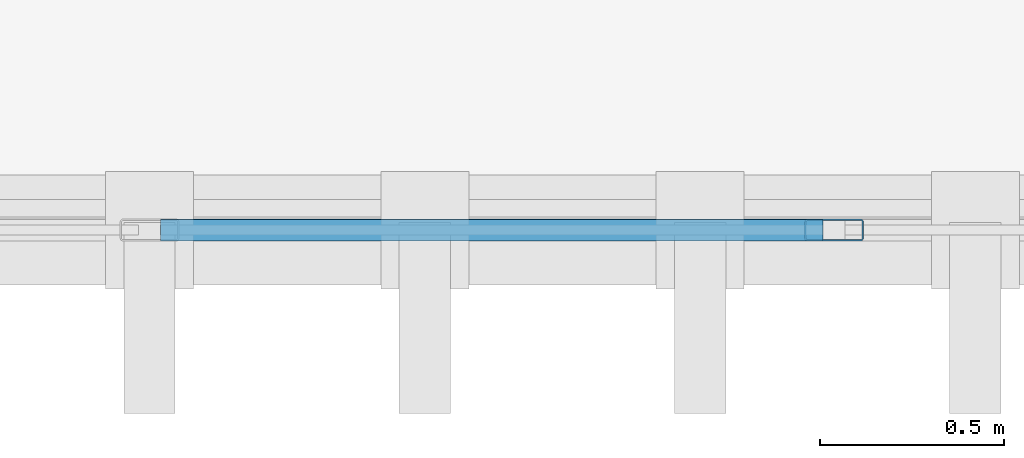
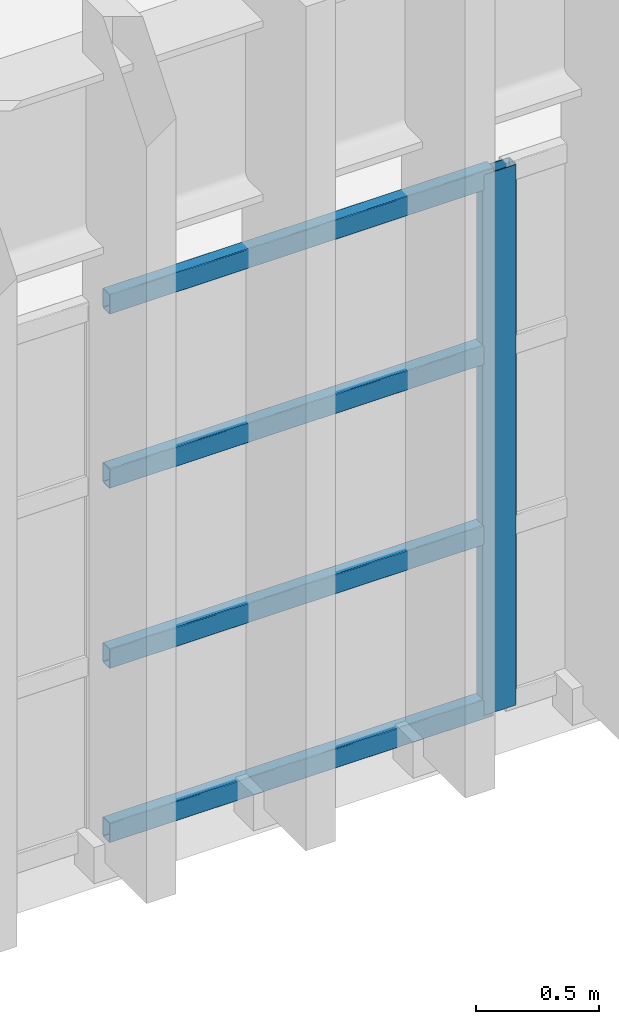
# One storey, part 15 of 51: 5 members, 1 element without a shape of its own.
"""IFC4 building model written with IfcOpenShell, lengths in metres."""

from ifc_helpers import new_model, si_unit, direction, frame, origin, origin_2d, place, context, subcontext, project, spatial, hollow_rectangle, extrude, material, material_profile, profile_set, type_object, element, aggregate, save


model = new_model("IFC4")

# Units and contexts
model_context = context("Model", 3, precision=1e-05, world=origin(), true_north=direction((0.0, 1.0)))
body_context = subcontext(model_context, "Body", "Model", "MODEL_VIEW")
ifc_project = project(units=[si_unit("LENGTHUNIT", "METRE"), si_unit("AREAUNIT", "SQUARE_METRE"), si_unit("VOLUMEUNIT", "CUBIC_METRE"), si_unit("PLANEANGLEUNIT", "RADIAN"), si_unit("MASSUNIT", "GRAM", prefix="KILO")], contexts=[model_context])

# Site, building, storey
site_placement = place(None, origin())
site = spatial("IfcSite", under=ifc_project, at=site_placement, CompositionType="ELEMENT")
building_placement = place(site_placement, origin())
building = spatial("IfcBuilding", under=site, at=building_placement, Name="Qasida Concert Hall", CompositionType="ELEMENT")
storey_placement = place(building_placement, frame((0.0, 0.0, 21.0)))
storey = spatial("IfcBuildingStorey", under=building, at=storey_placement, Name="L05", CompositionType="ELEMENT", Elevation=21.0)

# Curtain wall, members
ifc_material_1 = material(Name="Architectural bronze-anodized aluminium and low-E glass", Category="aluminium")
curtain_wall_type = type_object("IfcCurtainWallType", Name="CW-05", PredefinedType="NOTDEFINED", material=ifc_material_1)
curtain_wall_placement = place(storey_placement, origin())
curtain_wall = element("IfcCurtainWall", 1, at=curtain_wall_placement, inside=storey, type_object=curtain_wall_type, Name="L05 curtain wall CW-05 0034", PredefinedType="NOTDEFINED")
ifc_material_2 = material(Name="Architectural bronze-anodized aluminium EN AW-6063", Category="aluminium")
ifc_material_profile_1 = material_profile(ifc_material_2, hollow_rectangle(XDim=0.06005859375, YDim=0.159912109375, WallThickness=0.00390625, InnerFilletRadius=0.00390625, OuterFilletRadius=0.008056640625, at=origin_2d()), Name="CWM 160x60x4")
ifc_profile_set_1 = profile_set([ifc_material_profile_1], Name="Architectural bronze-anodized aluminium EN AW-6063")
member_type_1 = type_object("IfcMemberType", Name="MB-CWM-3", PredefinedType="MULLION", material=ifc_profile_set_1)
member_1_placement = place(storey_placement, frame((95.614990234375, 14.699951171875, 0.0), z_axis=(0.0, 0.0, 1.0), x_axis=(0.0, 1.0, 0.0)))
member_1 = element("IfcMember", 2, at=member_1_placement, type_object=member_type_1, Name="CW-05 mullion 4", PredefinedType="MULLION", context=body_context, shape_type="SweptSolid", body=[
    extrude(hollow_rectangle(XDim=0.06005859375, YDim=0.159912109375, WallThickness=0.00390625, InnerFilletRadius=0.00390625, OuterFilletRadius=0.008056640625, at=origin_2d()), origin(), (0.0, 0.0, 1.0), 2.68994140625),
])
ifc_material_profile_2 = material_profile(ifc_material_2, hollow_rectangle(XDim=0.06005859375, YDim=0.10009765625, WallThickness=0.00341796875, InnerFilletRadius=0.00341796875, OuterFilletRadius=0.007080078125, at=origin_2d()), Name="CWT 100x60x3.5")
ifc_profile_set_2 = profile_set([ifc_material_profile_2], Name="Architectural bronze-anodized aluminium EN AW-6063")
member_type_2 = type_object("IfcMemberType", Name="MB-CWT-3", PredefinedType="USERDEFINED", material=ifc_profile_set_2)
member_2_placement = place(storey_placement, frame((93.780029296875, 14.699951171875, 0.030029296875), z_axis=(1.0, 0.0, 0.0), x_axis=(0.0, 1.0, 0.0)))
member_2 = element("IfcMember", 3, at=member_2_placement, type_object=member_type_2, Name="CW-05 transom 3.1", ObjectType="TRANSOM", PredefinedType="USERDEFINED", context=body_context, shape_type="SweptSolid", body=[
    extrude(hollow_rectangle(XDim=0.06005859375, YDim=0.10009765625, WallThickness=0.00341796875, InnerFilletRadius=0.00341796875, OuterFilletRadius=0.007080078125, at=origin_2d()), origin(), (0.0, 0.0, 1.0), 1.804931640625),
])
member_3_placement = place(storey_placement, frame((93.780029296875, 14.699951171875, 0.896728515625), z_axis=(1.0, 0.0, 0.0), x_axis=(0.0, 1.0, 0.0)))
member_3 = element("IfcMember", 4, at=member_3_placement, type_object=member_type_2, Name="CW-05 transom 3.2", ObjectType="TRANSOM", PredefinedType="USERDEFINED", context=body_context, shape_type="SweptSolid", body=[
    extrude(hollow_rectangle(XDim=0.06005859375, YDim=0.10009765625, WallThickness=0.00341796875, InnerFilletRadius=0.00341796875, OuterFilletRadius=0.007080078125, at=origin_2d()), origin(), (0.0, 0.0, 1.0), 1.804931640625),
])
member_4_placement = place(storey_placement, frame((93.780029296875, 14.699951171875, 1.793212890625), z_axis=(1.0, 0.0, 0.0), x_axis=(0.0, 1.0, 0.0)))
member_4 = element("IfcMember", 5, at=member_4_placement, type_object=member_type_2, Name="CW-05 transom 3.3", ObjectType="TRANSOM", PredefinedType="USERDEFINED", context=body_context, shape_type="SweptSolid", body=[
    extrude(hollow_rectangle(XDim=0.06005859375, YDim=0.10009765625, WallThickness=0.00341796875, InnerFilletRadius=0.00341796875, OuterFilletRadius=0.007080078125, at=origin_2d()), origin(), (0.0, 0.0, 1.0), 1.804931640625),
])
member_5_placement = place(storey_placement, frame((93.780029296875, 14.699951171875, 2.659912109375), z_axis=(1.0, 0.0, 0.0), x_axis=(0.0, 1.0, 0.0)))
member_5 = element("IfcMember", 6, at=member_5_placement, type_object=member_type_2, Name="CW-05 transom 3.4", ObjectType="TRANSOM", PredefinedType="USERDEFINED", context=body_context, shape_type="SweptSolid", body=[
    extrude(hollow_rectangle(XDim=0.06005859375, YDim=0.10009765625, WallThickness=0.00341796875, InnerFilletRadius=0.00341796875, OuterFilletRadius=0.007080078125, at=origin_2d()), origin(), (0.0, 0.0, 1.0), 1.804931640625),
])
aggregate(curtain_wall, [member_1, member_2, member_3, member_4, member_5])

save(model, "model.ifc")
